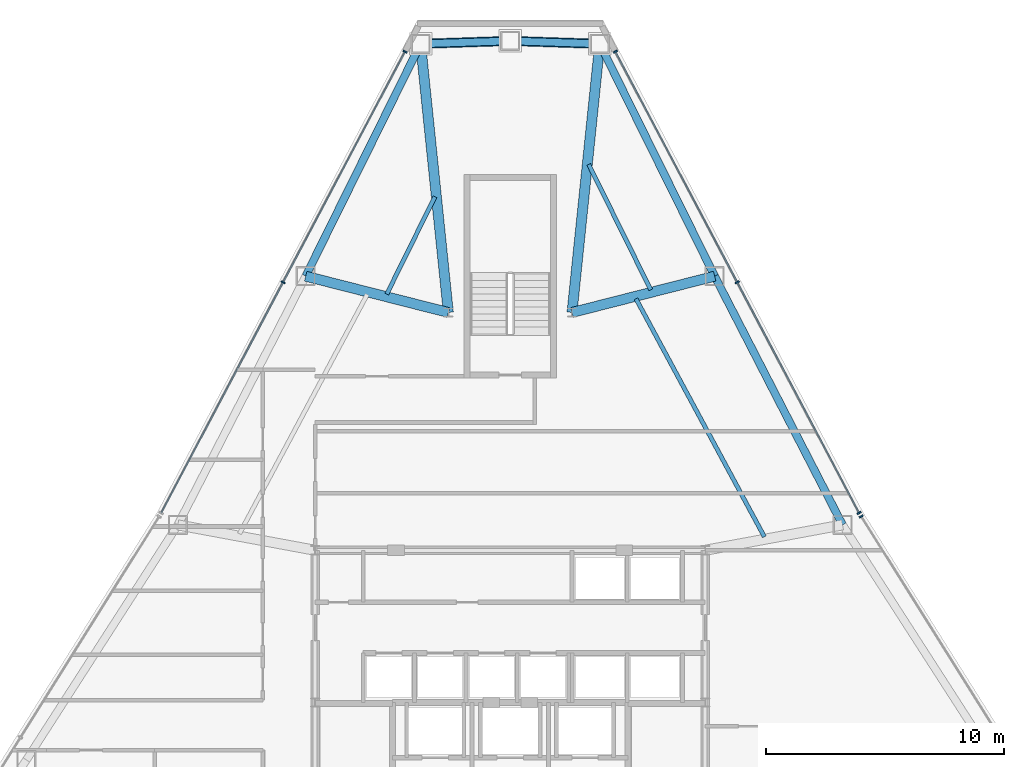
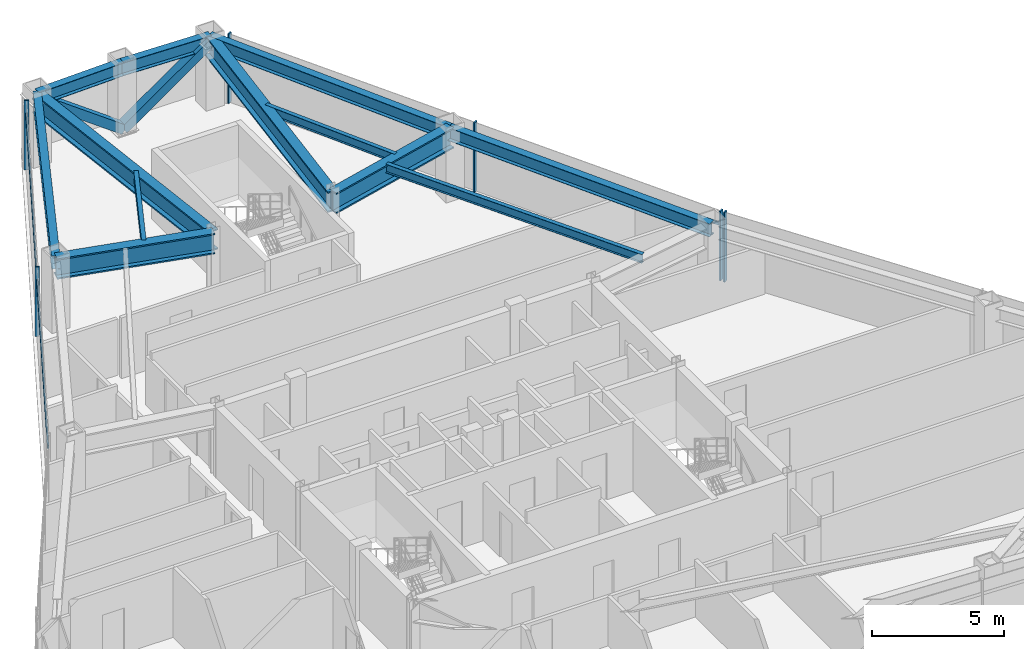
# One storey, part 8 of 13: 12 beams, 10 members, 3 elements without a shape of their own.
"""IFC4 building model written with IfcOpenShell, lengths in metres."""

from ifc_helpers import new_model, si_unit, direction, frame, origin, origin_2d, place, context, subcontext, project, spatial, rectangle, hollow_rectangle, i_section, extrude, source, transform, mapped, material, layer, layer_set, material_profile, profile_set, type_object, type_shapes, element, aggregate, save


model = new_model("IFC4")

# Units and contexts
model_context = context("Model", 3, precision=1e-05, world=origin(), true_north=direction((0.0, 1.0)))
body_context = subcontext(model_context, "Body", "Model", "MODEL_VIEW")
ifc_project = project(units=[si_unit("LENGTHUNIT", "METRE"), si_unit("AREAUNIT", "SQUARE_METRE"), si_unit("VOLUMEUNIT", "CUBIC_METRE"), si_unit("PLANEANGLEUNIT", "RADIAN"), si_unit("MASSUNIT", "GRAM", prefix="KILO")], contexts=[model_context])

# Site, building, storey
site_placement = place(None, origin())
site = spatial("IfcSite", under=ifc_project, at=site_placement, CompositionType="ELEMENT")
building_placement = place(site_placement, origin())
building = spatial("IfcBuilding", under=site, at=building_placement, Name="Varakhsha Concourse Tower", CompositionType="ELEMENT")
storey_placement = place(building_placement, frame((0.0, 0.0, 172.35009765625)))
storey = spatial("IfcBuildingStorey", under=building, at=storey_placement, Name="L49", CompositionType="ELEMENT", Elevation=172.35009765625)

# Beams
ifc_material_1 = material(Name="Structural Steel ASTM A992 Grade 50", Category="steel")
ifc_material_profile_1 = material_profile(ifc_material_1, i_section(OverallWidth=0.177978515625, OverallDepth=0.406982421875, WebThickness=0.008056640625, FlangeThickness=0.012939453125, at=origin_2d()), Name="W16X40")
ifc_profile_set_1 = profile_set([ifc_material_profile_1], Name="Structural Steel ASTM A992 Grade 50")
beam_type_1 = type_object("IfcBeamType", Name="BM-JST-W16X40", PredefinedType="JOIST", material=ifc_profile_set_1)
beam_1_placement = place(storey_placement, frame((36.837890625, 46.0712890625, 3.00634765625), z_axis=(-0.443303479833, -0.896371588555, 0.0), x_axis=(0.896371588555, -0.443303479833, 0.0)))
element("IfcBeam", 1, at=beam_1_placement, inside=storey, type_object=beam_type_1, Name="BM-TJST-L49-03", PredefinedType="JOIST", context=body_context, shape_type="SweptSolid", body=[
    extrude(i_section(OverallWidth=0.177978515625, OverallDepth=0.406982421875, WebThickness=0.008056640625, FlangeThickness=0.012939453125, at=origin_2d()), origin(), (0.0, 0.0, 1.0), 4.575439453125),
])
beam_2_placement = place(storey_placement, frame((50.689453125, 31.767333984375, 3.00634765625), z_axis=(-0.474748881481, 0.880121298193, 0.0), x_axis=(-0.880121298193, -0.474748881481, 0.0)))
element("IfcBeam", 2, at=beam_2_placement, inside=storey, type_object=beam_type_1, Name="BM-TJST-L49-17", PredefinedType="JOIST", context=body_context, shape_type="SweptSolid", body=[
    extrude(i_section(OverallWidth=0.177978515625, OverallDepth=0.406982421875, WebThickness=0.008056640625, FlangeThickness=0.012939453125, at=origin_2d()), origin(), (0.0, 0.0, 1.0), 11.3701171875),
])
beam_3_placement = place(storey_placement, frame((45.910400390625, 42.15283203125, 3.00634765625), z_axis=(-0.443325509195, 0.896360693525, 0.0), x_axis=(-0.896360693525, -0.443325509195, 0.0)))
element("IfcBeam", 3, at=beam_3_placement, inside=storey, type_object=beam_type_1, Name="BM-TJST-L49-18", PredefinedType="JOIST", context=body_context, shape_type="SweptSolid", body=[
    extrude(i_section(OverallWidth=0.177978515625, OverallDepth=0.406982421875, WebThickness=0.008056640625, FlangeThickness=0.012939453125, at=origin_2d()), origin(), (0.0, 0.0, 1.0), 5.8837890625),
])
ifc_material_profile_2 = material_profile(ifc_material_1, i_section(OverallWidth=0.423095703125, OverallDepth=0.947998046875, WebThickness=0.0380859375, FlangeThickness=0.06396484375, at=origin_2d()), Name="W36X302")
ifc_profile_set_2 = profile_set([ifc_material_profile_2], Name="Structural Steel ASTM A992 Grade 50")
beam_type_2 = type_object("IfcBeamType", Name="BM-OUTR-W36X302", PredefinedType="USERDEFINED", material=ifc_profile_set_2)
for number, where, z_axis, x_axis, name in (
    (4, (42.60009765625, 41.199951171875, 2.73583984375), (0.102728235159, 0.994709459944, 0.0), (-0.994709459944, 0.102728235159, 0.0), "L49 Radial Floor Girder 01"),
    (5, (37.39990234375, 41.199951171875, 2.73583984375), (-0.102728235159, 0.994709459944, 0.0), (-0.994709459944, -0.102728235159, 0.0), "L49 Radial Floor Girder 03"),
):
    element("IfcBeam", number, at=place(storey_placement, frame(where, z_axis=z_axis, x_axis=x_axis)), inside=storey, type_object=beam_type_2, Name=name, ObjectType="GIRDER", PredefinedType="USERDEFINED", context=body_context, shape_type="SweptSolid", body=[
        extrude(i_section(OverallWidth=0.423095703125, OverallDepth=0.947998046875, WebThickness=0.0380859375, FlangeThickness=0.06396484375, at=origin_2d()), origin(), (0.0, 0.0, 1.0), 11.355224609375),
    ])
for number, where, z_axis, x_axis, name in (
    (6, (37.39990234375, 41.199951171875, 2.73583984375), (-0.969143619734, 0.246496743039, 0.0), (-0.246496743039, -0.969143619734, 0.0), "L49 Radial Floor Girder 04"),
    (7, (42.60009765625, 41.199951171875, 2.73583984375), (0.969143619734, 0.246496743039, 0.0), (-0.246496743039, 0.969143619734, 0.0), "L49 Radial Floor Girder 18"),
):
    element("IfcBeam", number, at=place(storey_placement, frame(where, z_axis=z_axis, x_axis=x_axis)), inside=storey, type_object=beam_type_2, Name=name, ObjectType="GIRDER", PredefinedType="USERDEFINED", context=body_context, shape_type="SweptSolid", body=[
        extrude(i_section(OverallWidth=0.423095703125, OverallDepth=0.947998046875, WebThickness=0.0380859375, FlangeThickness=0.06396484375, at=origin_2d()), origin(), (0.0, 0.0, 1.0), 6.189208984375),
    ])
ifc_material_profile_3 = material_profile(ifc_material_1, i_section(OverallWidth=0.323974609375, OverallDepth=0.611083984375, WebThickness=0.012939453125, FlangeThickness=0.01904296875, at=origin_2d()), Name="W24X104")
ifc_profile_set_3 = profile_set([ifc_material_profile_3], Name="Structural Steel ASTM A992 Grade 50")
beam_type_3 = type_object("IfcBeamType", Name="BM-SPAN-W24X104", PredefinedType="SPANDREL", material=ifc_profile_set_3)
for number, where, z_axis, x_axis, name in (
    (8, (43.7666015625, 52.4951171875, 2.904296875), (-0.999464715479, 0.032715172499, 0.0), (-0.032715172499, -0.999464715479, 0.0), "BM-SPAN-L49-01"),
    (9, (40.0, 52.618408203125, 2.904296875), (-0.999464715479, -0.032715172499, 0.0), (0.032715172499, -0.999464715479, 0.0), "BM-SPAN-L49-02"),
):
    element("IfcBeam", number, at=place(storey_placement, frame(where, z_axis=z_axis, x_axis=x_axis)), inside=storey, type_object=beam_type_3, Name=name, PredefinedType="SPANDREL", context=body_context, shape_type="SweptSolid", body=[
        extrude(i_section(OverallWidth=0.323974609375, OverallDepth=0.611083984375, WebThickness=0.012939453125, FlangeThickness=0.01904296875, at=origin_2d()), origin(), (0.0, 0.0, 1.0), 3.7685546875),
    ])
beam_4_placement = place(storey_placement, frame((36.2333984375, 52.4951171875, 2.904296875), z_axis=(-0.443320708592, -0.89636306781, 0.0), x_axis=(0.89636306781, -0.443320708592, 0.0)))
element("IfcBeam", 10, at=beam_4_placement, inside=storey, type_object=beam_type_3, Name="BM-SPAN-L49-03", PredefinedType="SPANDREL", context=body_context, shape_type="SweptSolid", body=[
    extrude(i_section(OverallWidth=0.323974609375, OverallDepth=0.611083984375, WebThickness=0.012939453125, FlangeThickness=0.01904296875, at=origin_2d()), origin(), (0.0, 0.0, 1.0), 10.899169921875),
])
beam_5_placement = place(storey_placement, frame((53.976318359375, 32.269287109375, 2.904296875), z_axis=(-0.457375223262, 0.889273807748, 0.0), x_axis=(-0.889273807748, -0.457375223262, 0.0)))
element("IfcBeam", 11, at=beam_5_placement, inside=storey, type_object=beam_type_3, Name="BM-SPAN-L49-17", PredefinedType="SPANDREL", context=body_context, shape_type="SweptSolid", body=[
    extrude(i_section(OverallWidth=0.323974609375, OverallDepth=0.611083984375, WebThickness=0.012939453125, FlangeThickness=0.01904296875, at=origin_2d()), origin(), (0.0, 0.0, 1.0), 11.75830078125),
])
beam_6_placement = place(storey_placement, frame((48.598388671875, 42.7255859375, 2.904296875), z_axis=(-0.443320708592, 0.89636306781, 0.0), x_axis=(-0.89636306781, -0.443320708592, 0.0)))
element("IfcBeam", 12, at=beam_6_placement, inside=storey, type_object=beam_type_3, Name="BM-SPAN-L49-18", PredefinedType="SPANDREL", context=body_context, shape_type="SweptSolid", body=[
    extrude(i_section(OverallWidth=0.323974609375, OverallDepth=0.611083984375, WebThickness=0.012939453125, FlangeThickness=0.01904296875, at=origin_2d()), origin(), (0.0, 0.0, 1.0), 10.899169921875),
])

# Members
ifc_material_2 = material(Name="Structural Steel ASTM A500 Grade C", Category="steel")
ifc_material_profile_4 = material_profile(ifc_material_2, hollow_rectangle(XDim=0.39990234375, YDim=0.39990234375, WallThickness=0.01611328125, at=origin_2d()), Name="HSS 400x400x16")
ifc_profile_set_4 = profile_set([ifc_material_profile_4], Name="Structural Steel ASTM A500 Grade C")
member_type_1 = type_object("IfcMemberType", Name="MB-TUBE-HSS400", PredefinedType="BRACE", material=ifc_profile_set_4)
shared_shape_1 = source(origin(), body_context, "Body", "SweptSolid", [
    extrude(hollow_rectangle(XDim=0.39990234375, YDim=0.39990234375, WallThickness=0.01611328125, at=origin_2d()), origin(), (0.0, 0.0, 1.0), 4.68896484375),
])
type_shapes(member_type_1, [shared_shape_1])
for number, where, z_axis, x_axis, name in (
    (13, (40.0, 52.618408203125, 0.119873046875), (0.803283063306, -0.026293618549, 0.595016777772), (0.032715172499, 0.999464715479, 0.0), "L49 Wind-Corner Tube Brace B01"),
    (14, (40.0, 52.618408203125, 0.119873046875), (-0.803283063306, -0.026293618549, 0.595016777772), (0.032715172499, -0.999464715479, 0.0), "L49 Wind-Corner Tube Brace B02"),
):
    element("IfcMember", number, at=place(storey_placement, frame(where, z_axis=z_axis, x_axis=x_axis)), inside=storey, type_object=member_type_1, Name=name, PredefinedType="BRACE", context=body_context, shape_type="MappedRepresentation", body=[
        mapped(shared_shape_1, transform((0.0, 0.0, 0.0), scale=1.0)),
    ])

# Curtain wall, members
ifc_material_3 = material(Name="Anodised Bronze Architectural Aluminium AA 6063-T6", Category="aluminium")
ifc_layer = layer(ifc_material_3, 0.2099609375, Name="CW-SYS-04")
ifc_layer_set = layer_set([ifc_layer], Name="Anodised Bronze Architectural Aluminium AA 6063-T6")
curtain_wall_type = type_object("IfcCurtainWallType", Name="CW-SYS-04", PredefinedType="NOTDEFINED", material=ifc_layer_set)
curtain_wall_1_placement = place(storey_placement, origin())
curtain_wall_1 = element("IfcCurtainWall", 15, at=curtain_wall_1_placement, inside=storey, type_object=curtain_wall_type, Name="L49 Crystal Curtain Wall F2", PredefinedType="NOTDEFINED")
ifc_material_profile_5 = material_profile(ifc_material_3, rectangle(XDim=0.06494140625, YDim=0.179931640625, at=origin_2d()), Name="CWM-180X65")
ifc_profile_set_5 = profile_set([ifc_material_profile_5], Name="Anodised Bronze Architectural Aluminium AA 6063-T6")
member_type_2 = type_object("IfcMemberType", Name="CWM-180X65", PredefinedType="MULLION", material=ifc_profile_set_5)
shared_shape_2 = source(origin(), body_context, "Body", "SweptSolid", [
    extrude(rectangle(XDim=0.06494140625, YDim=0.179931640625, at=origin_2d()), origin(), (0.0, 0.0, 1.0), 3.2099609375),
])
type_shapes(member_type_2, [shared_shape_2])
member_1_placement = place(storey_placement, frame((30.451904296875, 42.4697265625, 0.0), z_axis=(0.0, 0.0, 1.0), x_axis=(0.46728648373, 0.884105956389, 0.0)))
member_1 = element("IfcMember", 16, at=member_1_placement, type_object=member_type_2, Name="CW-L49-F2 Mullion 01", PredefinedType="MULLION", context=body_context, shape_type="MappedRepresentation", body=[
    mapped(shared_shape_2, transform((0.0, 0.0, 0.0), scale=1.0)),
])
member_2_placement = place(storey_placement, frame((35.577880859375, 52.168212890625, 0.0), z_axis=(0.0, 0.0, 1.0), x_axis=(0.46728648373, 0.884105956389, 0.0)))
member_2 = element("IfcMember", 17, at=member_2_placement, type_object=member_type_2, Name="CW-L49-F2 Mullion 02", PredefinedType="MULLION", context=body_context, shape_type="MappedRepresentation", body=[
    mapped(shared_shape_2, transform((0.0, 0.0, 0.0), scale=1.0)),
])

# Curtain wall, member
curtain_wall_2_placement = place(storey_placement, origin())
curtain_wall_2 = element("IfcCurtainWall", 18, at=curtain_wall_2_placement, inside=storey, type_object=curtain_wall_type, Name="L49 Crystal Curtain Wall F8", PredefinedType="NOTDEFINED")
member_3_placement = place(storey_placement, frame((54.760009765625, 32.622314453125, 0.0), z_axis=(0.0, 0.0, 1.0), x_axis=(0.532022365141, -0.846730301212, 0.0)))
member_3 = element("IfcMember", 19, at=member_3_placement, type_object=member_type_2, Name="CW-L49-F8 Mullion 00", PredefinedType="MULLION", context=body_context, shape_type="MappedRepresentation", body=[
    mapped(shared_shape_2, transform((0.0, 0.0, 0.0), scale=1.0)),
])
aggregate(curtain_wall_2, [member_3])

# Curtain wall, members
curtain_wall_3_placement = place(storey_placement, origin())
curtain_wall_3 = element("IfcCurtainWall", 20, at=curtain_wall_3_placement, inside=storey, type_object=curtain_wall_type, Name="L49 Crystal Curtain Wall F9", PredefinedType="NOTDEFINED")
member_4_placement = place(storey_placement, frame((44.422119140625, 52.168212890625, 0.0), z_axis=(0.0, 0.0, 1.0), x_axis=(0.46728648373, -0.884105956389, 0.0)))
member_4 = element("IfcMember", 21, at=member_4_placement, type_object=member_type_2, Name="CW-L49-F9 Mullion 00", PredefinedType="MULLION", context=body_context, shape_type="MappedRepresentation", body=[
    mapped(shared_shape_2, transform((0.0, 0.0, 0.0), scale=1.0)),
])
member_5_placement = place(storey_placement, frame((49.548095703125, 42.4697265625, 0.0), z_axis=(0.0, 0.0, 1.0), x_axis=(0.46728648373, -0.884105956389, 0.0)))
member_5 = element("IfcMember", 22, at=member_5_placement, type_object=member_type_2, Name="CW-L49-F9 Mullion 01", PredefinedType="MULLION", context=body_context, shape_type="MappedRepresentation", body=[
    mapped(shared_shape_2, transform((0.0, 0.0, 0.0), scale=1.0)),
])
member_6_placement = place(storey_placement, frame((54.674072265625, 32.771240234375, 0.0), z_axis=(0.0, 0.0, 1.0), x_axis=(0.46728648373, -0.884105956389, 0.0)))
member_6 = element("IfcMember", 23, at=member_6_placement, type_object=member_type_2, Name="CW-L49-F9 Mullion 02", PredefinedType="MULLION", context=body_context, shape_type="MappedRepresentation", body=[
    mapped(shared_shape_2, transform((0.0, 0.0, 0.0), scale=1.0)),
])

# Member
ifc_material_profile_6 = material_profile(ifc_material_3, rectangle(XDim=0.06005859375, YDim=0.139892578125, at=origin_2d()), Name="CWT-140X60")
ifc_profile_set_6 = profile_set([ifc_material_profile_6], Name="Anodised Bronze Architectural Aluminium AA 6063-T6")
member_type_3 = type_object("IfcMemberType", Name="CWT-140X60", PredefinedType="USERDEFINED", material=ifc_profile_set_6)
shared_shape_3 = source(origin(), body_context, "Body", "SweptSolid", [
    extrude(rectangle(XDim=0.06005859375, YDim=0.139892578125, at=origin_2d()), origin(), (0.0, 0.0, 1.0), 21.939697265625),
])
type_shapes(member_type_3, [shared_shape_3])
member_7_placement = place(storey_placement, frame((25.325927734375, 32.771240234375, 2.559814453125), z_axis=(0.467281231971, 0.884108732141, 0.0), x_axis=(-0.884108732141, 0.467281231971, 0.0)))
member_7 = element("IfcMember", 24, at=member_7_placement, type_object=member_type_3, Name="CW-L49-F2 Transom 01", ObjectType="TRANSOM", PredefinedType="USERDEFINED", context=body_context, shape_type="MappedRepresentation", body=[
    mapped(shared_shape_3, transform((0.0, 0.0, 0.0), scale=1.0)),
])

aggregate(curtain_wall_1, [member_1, member_2, member_7])

member_8_placement = place(storey_placement, frame((44.422119140625, 52.168212890625, 2.559814453125), z_axis=(0.467281231971, -0.884108732141, 0.0), x_axis=(0.884108732141, 0.467281231971, 0.0)))
member_8 = element("IfcMember", 25, at=member_8_placement, type_object=member_type_3, Name="CW-L49-F9 Transom 01", ObjectType="TRANSOM", PredefinedType="USERDEFINED", context=body_context, shape_type="MappedRepresentation", body=[
    mapped(shared_shape_3, transform((0.0, 0.0, 0.0), scale=1.0)),
])

aggregate(curtain_wall_3, [member_4, member_5, member_6, member_8])

save(model, "model.ifc")
